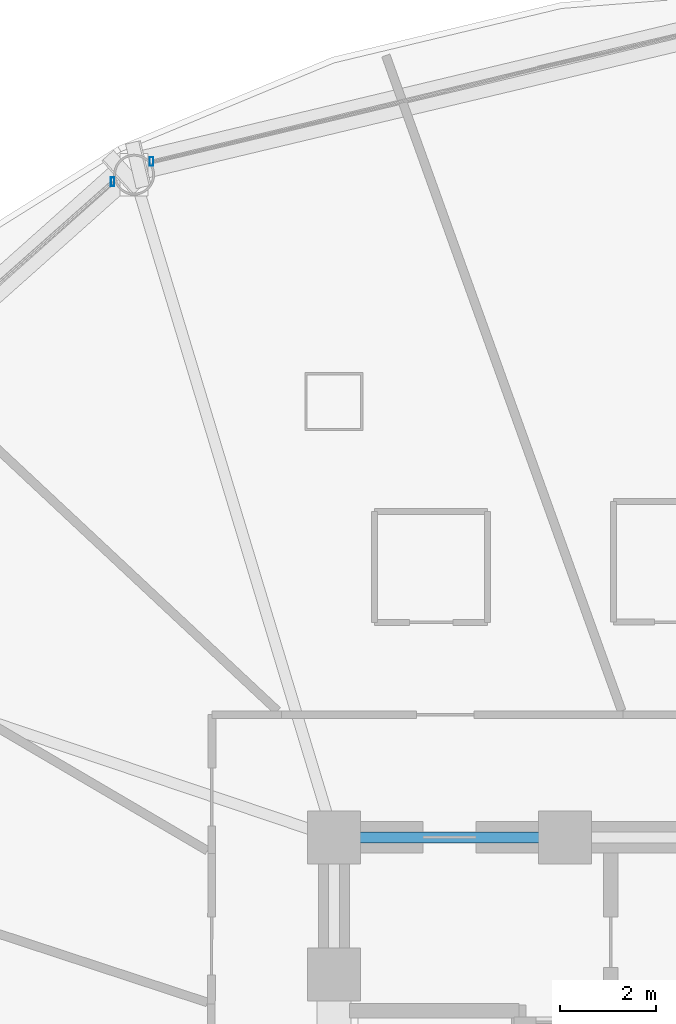
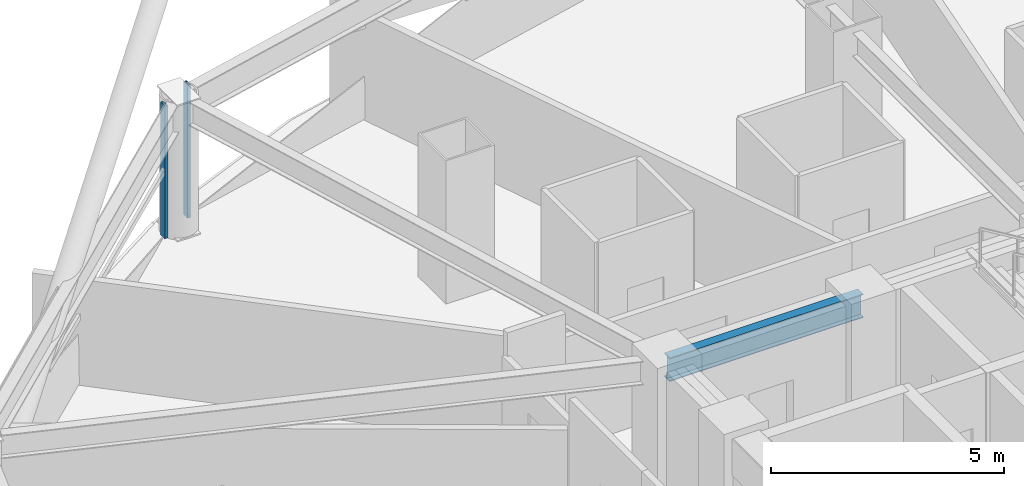
# One storey, part 15 of 30: 2 members, 1 beam, 2 elements without a shape of their own.
"""IFC4 building model written with IfcOpenShell, lengths in metres."""

from ifc_helpers import new_model, si_unit, direction, frame, origin, origin_2d, place, context, subcontext, project, spatial, hollow_rectangle, i_section, extrude, material, layer, layer_set, material_profile, profile_set, type_object, element, aggregate, save


model = new_model("IFC4")

# Units and contexts
model_context = context("Model", 3, precision=1e-05, world=origin(), true_north=direction((0.0, 1.0)))
body_context = subcontext(model_context, "Body", "Model", "MODEL_VIEW")
ifc_project = project(units=[si_unit("LENGTHUNIT", "METRE"), si_unit("AREAUNIT", "SQUARE_METRE"), si_unit("VOLUMEUNIT", "CUBIC_METRE"), si_unit("PLANEANGLEUNIT", "RADIAN"), si_unit("MASSUNIT", "GRAM", prefix="KILO")], contexts=[model_context])

# Site, building, storey
site_placement = place(None, origin())
site = spatial("IfcSite", under=ifc_project, at=site_placement, CompositionType="ELEMENT")
building_placement = place(site_placement, origin())
building = spatial("IfcBuilding", under=site, at=building_placement, Name="Vantalir Tower", CompositionType="ELEMENT")
storey_placement = place(building_placement, frame((0.0, 0.0, 79.5)))
storey = spatial("IfcBuildingStorey", under=building, at=storey_placement, Name="L19", CompositionType="ELEMENT", Elevation=79.5)

# Beam
ifc_material_1 = material(Name="Steel S355", Category="steel")
ifc_material_profile_1 = material_profile(ifc_material_1, i_section(OverallWidth=0.22998046875, OverallDepth=0.616943359375, WebThickness=0.01318359375, FlangeThickness=0.022216796875, at=origin_2d()), Name="Steel S355")
ifc_profile_set_1 = profile_set([ifc_material_profile_1], Name="Steel S355")
beam_type = type_object("IfcBeamType", Name="BM-RB-610x229", PredefinedType="BEAM", material=ifc_profile_set_1)
beam_placement = place(storey_placement, frame((26.699951171875, 32.449951171875, 3.261962890625), z_axis=(-1.0, 0.0, 0.0), x_axis=(0.0, -1.0, 0.0)))
element("IfcBeam", 1, at=beam_placement, inside=storey, type_object=beam_type, Name="L19 Core Coupling Girder 11", PredefinedType="BEAM", context=body_context, shape_type="SweptSolid", body=[
    extrude(i_section(OverallWidth=0.22998046875, OverallDepth=0.616943359375, WebThickness=0.01318359375, FlangeThickness=0.022216796875, at=origin_2d()), origin(), (0.0, 0.0, 1.0), 4.800048828125),
])

# Curtain wall, member
ifc_material_2 = material(Name="Champagne-silver PVDF aluminium and double-silver Low-E glass", Category="aluminium")
ifc_layer = layer(ifc_material_2, 0.18994140625)
ifc_layer_set = layer_set([ifc_layer], Name="Champagne-silver PVDF aluminium and double-silver Low-E glass")
curtain_wall_type = type_object("IfcCurtainWallType", Name="CW-DIAMOND-Z1", PredefinedType="USERDEFINED", material=ifc_layer_set)
curtain_wall_1_placement = place(storey_placement, origin())
curtain_wall_1 = element("IfcCurtainWall", 2, at=curtain_wall_1_placement, inside=storey, type_object=curtain_wall_type, Name="L19 Quilted Pyramid-Diamond Curtain Wall S04", ObjectType="UNITISED CURTAIN WALL", PredefinedType="USERDEFINED")
ifc_material_3 = material(Name="Champagne-silver PVDF aluminium 6063-T6", Category="aluminium")
ifc_material_profile_2 = material_profile(ifc_material_3, hollow_rectangle(XDim=0.074951171875, YDim=0.179931640625, WallThickness=0.00390625, at=origin_2d()), Name="Champagne-silver PVDF aluminium 6063-T6")
ifc_profile_set_2 = profile_set([ifc_material_profile_2], Name="Champagne-silver PVDF aluminium 6063-T6")
member_type = type_object("IfcMemberType", Name="CWM-180x75", PredefinedType="MULLION", material=ifc_profile_set_2)
member_1_placement = place(storey_placement, frame((18.112060546875, 46.487060546875, 0.044921875), z_axis=(0.0, 0.0, 1.0), x_axis=(1.0, 0.0, 0.0)))
member_1 = element("IfcMember", 3, at=member_1_placement, type_object=member_type, Name="CW-L19-S04 Mullion 2", PredefinedType="MULLION", context=body_context, shape_type="SweptSolid", body=[
    extrude(hollow_rectangle(XDim=0.074951171875, YDim=0.179931640625, WallThickness=0.00390625, at=origin_2d()), origin(), (0.0, 0.0, 1.0), 3.47998046875),
])
aggregate(curtain_wall_1, [member_1])

curtain_wall_2_placement = place(storey_placement, origin())
curtain_wall_2 = element("IfcCurtainWall", 4, at=curtain_wall_2_placement, inside=storey, type_object=curtain_wall_type, Name="L19 Quilted Pyramid-Diamond Curtain Wall S05", ObjectType="UNITISED CURTAIN WALL", PredefinedType="USERDEFINED")
member_2_placement = place(storey_placement, frame((17.303955078125, 46.06494140625, 0.044921875), z_axis=(0.0, 0.0, 1.0), x_axis=(1.0, 0.0, 0.0)))
member_2 = element("IfcMember", 5, at=member_2_placement, type_object=member_type, Name="CW-L19-S05 Mullion 1", PredefinedType="MULLION", context=body_context, shape_type="SweptSolid", body=[
    extrude(hollow_rectangle(XDim=0.074951171875, YDim=0.179931640625, WallThickness=0.00390625, at=origin_2d()), origin(), (0.0, 0.0, 1.0), 3.47998046875),
])
aggregate(curtain_wall_2, [member_2])

save(model, "model.ifc")
